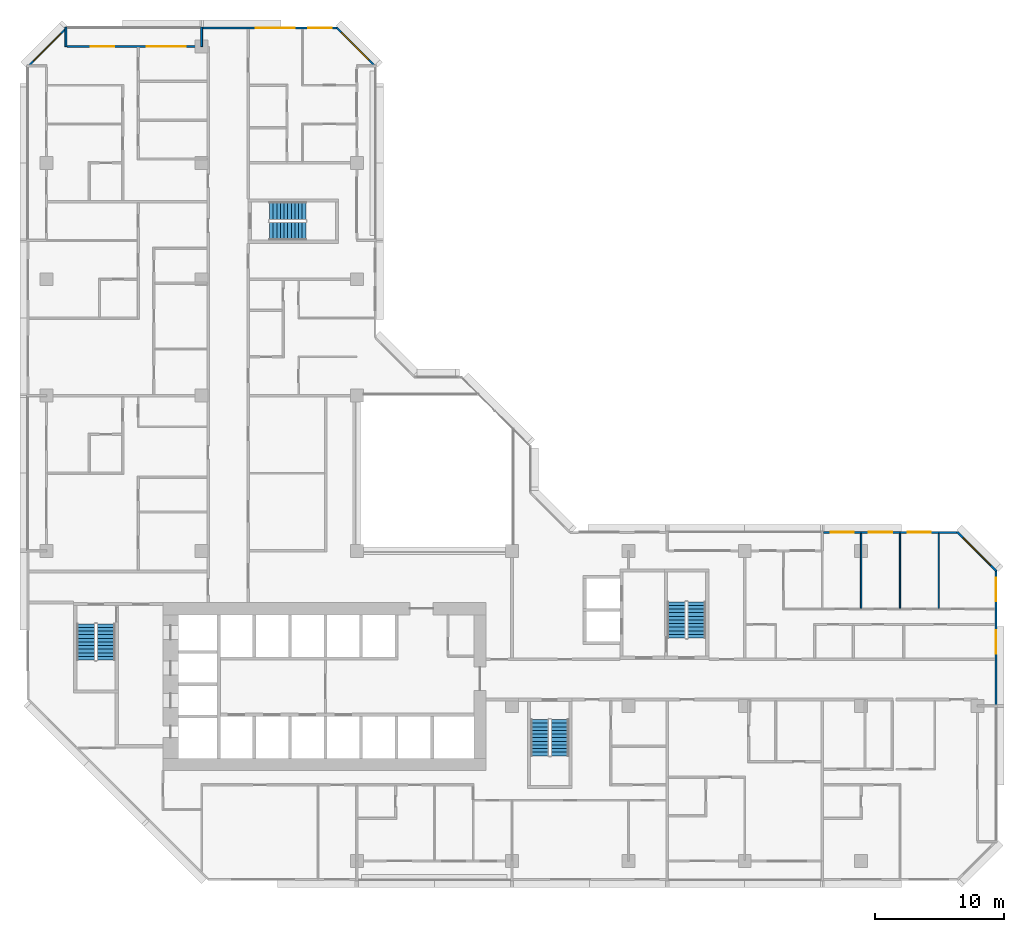
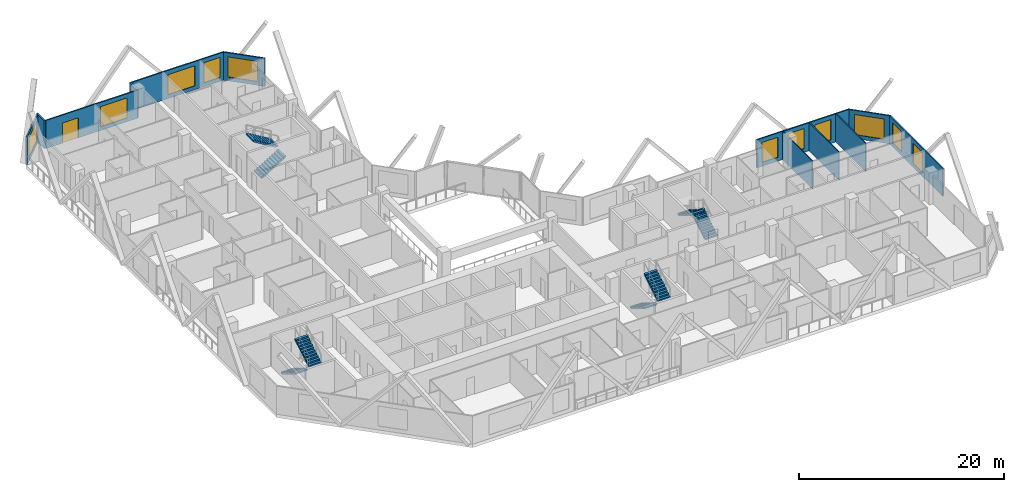
# One storey, part 12 of 14: 12 walls, 11 windows, 8 stair flights, 1 door, 12 openings, 4 elements without a shape of their own.
"""IFC4 building model written with IfcOpenShell, lengths in metres."""

from ifc_helpers import new_model, si_unit, direction, frame, frame_2d, origin, place, context, subcontext, project, spatial, polyline, rectangle, outline, extrude, material, layer, layer_set, type_object, element, fill, aggregate, save


model = new_model("IFC4")

# Units and contexts
model_context = context("Model", 3, precision=1e-05, world=origin(), true_north=direction((0.0, 1.0)))
body_context = subcontext(model_context, "Body", "Model", "MODEL_VIEW")
ifc_project = project(units=[si_unit("LENGTHUNIT", "METRE"), si_unit("AREAUNIT", "SQUARE_METRE"), si_unit("VOLUMEUNIT", "CUBIC_METRE"), si_unit("PLANEANGLEUNIT", "RADIAN"), si_unit("MASSUNIT", "GRAM", prefix="KILO")], contexts=[model_context])

# Site, building, storey
site_placement = place(None, origin())
site = spatial("IfcSite", under=ifc_project, at=site_placement, CompositionType="ELEMENT")
building_placement = place(site_placement, origin())
building = spatial("IfcBuilding", under=site, at=building_placement, Name="Chenar Terraces", CompositionType="ELEMENT")
storey_placement = place(building_placement, frame((0.0, 0.0, 91.89990234375)))
storey = spatial("IfcBuildingStorey", under=building, at=storey_placement, Name="L20", CompositionType="ELEMENT", Elevation=91.89990234375)

# Wall, openings, windows
ifc_material_1 = material(Name="Aluminium framed glazing", Category="aluminium")
ifc_layer_1 = layer(ifc_material_1, 0.14990234375)
ifc_layer_set_1 = layer_set([ifc_layer_1], Name="Aluminium framed glazing")
wall_type_1 = type_object("IfcWallType", Name="Glazed flush facade wall 150", PredefinedType="SOLIDWALL", material=ifc_layer_set_1)
wall_1_placement = place(storey_placement, frame((70.5, 25.425048828125, 0.0), z_axis=(0.0, 0.0, 1.0), x_axis=(-1.0, 0.0, 0.0)))
wall_1 = element("IfcWall", 1, at=wall_1_placement, inside=storey, type_object=wall_type_1, Name="Glazed flush facade wall", PredefinedType="SOLIDWALL", context=body_context, shape_type="SweptSolid", body=[
    extrude(rectangle(XDim=10.425048828125, YDim=0.14990234375, at=frame_2d((5.21240234375, 0.0))), origin(), (0.0, 0.0, 1.0), 3.35009765625),
])
opening_1_placement = place(wall_1_placement, frame((2.10009765625, 0.0, 0.449951171875)))
opening_1 = element("IfcOpeningElement", 2, at=opening_1_placement, cuts=wall_1, Name="Opening W180x240", PredefinedType="OPENING", context=body_context, shape_type="SweptSolid", body=[
    extrude(rectangle(XDim=1.800048828125, YDim=2.39990234375, at=frame_2d((0.89990234375, 1.199951171875))), frame((0.0, 0.0849609375, 0.0), z_axis=(0.0, -1.0, 0.0), x_axis=(1.0, 0.0, 0.0)), (0.0, 0.0, 1.0), 0.169921875),
])
opening_2_placement = place(wall_1_placement, frame((5.10009765625, 0.0, 0.449951171875)))
opening_2 = element("IfcOpeningElement", 3, at=opening_2_placement, cuts=wall_1, Name="Opening W180x240", PredefinedType="OPENING", context=body_context, shape_type="SweptSolid", body=[
    extrude(rectangle(XDim=1.800048828125, YDim=2.39990234375, at=frame_2d((0.89990234375, 1.199951171875))), frame((0.0, 0.0849609375, 0.0), z_axis=(0.0, -1.0, 0.0), x_axis=(1.0, 0.0, 0.0)), (0.0, 0.0, 1.0), 0.169921875),
])
opening_3_placement = place(wall_1_placement, frame((8.0625, 0.0, 0.449951171875)))
opening_3 = element("IfcOpeningElement", 4, at=opening_3_placement, cuts=wall_1, Name="Opening W180x240", PredefinedType="OPENING", context=body_context, shape_type="SweptSolid", body=[
    extrude(rectangle(XDim=1.800048828125, YDim=2.39990234375, at=frame_2d((0.89990234375, 1.199951171875))), frame((0.0, 0.0849609375, 0.0), z_axis=(0.0, -1.0, 0.0), x_axis=(1.0, 0.0, 0.0)), (0.0, 0.0, 1.0), 0.169921875),
])
ifc_material_2 = material(Name="Low emissivity double glazing, aluminium frame", Category="aluminium")
window_type_1 = type_object("IfcWindowType", Name="Fixed light 1800 x 2400", PartitioningType="SINGLE_PANEL", PredefinedType="WINDOW", material=ifc_material_2)
window_1_placement = place(opening_1_placement, origin())
window_1 = element("IfcWindow", 5, at=window_1_placement, inside=storey, type_object=window_type_1, Name="Window", OverallHeight=2.39990234375, OverallWidth=1.800048828125, PartitioningType="SINGLE_PANEL", PredefinedType="WINDOW", context=body_context, shape_type="SweptSolid", body=[
    extrude(rectangle(XDim=1.800048828125, YDim=2.39990234375, at=frame_2d((0.89990234375, 1.199951171875))), frame((0.0, 0.030029296875, 0.0), z_axis=(0.0, -1.0, 0.0), x_axis=(1.0, 0.0, 0.0)), (0.0, 0.0, 1.0), 0.06005859375),
])
fill(opening_1, window_1)
window_2_placement = place(opening_2_placement, origin())
window_2 = element("IfcWindow", 6, at=window_2_placement, inside=storey, type_object=window_type_1, Name="Window", OverallHeight=2.39990234375, OverallWidth=1.800048828125, PartitioningType="SINGLE_PANEL", PredefinedType="WINDOW", context=body_context, shape_type="SweptSolid", body=[
    extrude(rectangle(XDim=1.800048828125, YDim=2.39990234375, at=frame_2d((0.89990234375, 1.199951171875))), frame((0.0, 0.030029296875, 0.0), z_axis=(0.0, -1.0, 0.0), x_axis=(1.0, 0.0, 0.0)), (0.0, 0.0, 1.0), 0.06005859375),
])
fill(opening_2, window_2)
window_3_placement = place(opening_3_placement, origin())
window_3 = element("IfcWindow", 7, at=window_3_placement, inside=storey, type_object=window_type_1, Name="Window", OverallHeight=2.39990234375, OverallWidth=1.800048828125, PartitioningType="SINGLE_PANEL", PredefinedType="WINDOW", context=body_context, shape_type="SweptSolid", body=[
    extrude(rectangle(XDim=1.800048828125, YDim=2.39990234375, at=frame_2d((0.89990234375, 1.199951171875))), frame((0.0, 0.030029296875, 0.0), z_axis=(0.0, -1.0, 0.0), x_axis=(1.0, 0.0, 0.0)), (0.0, 0.0, 1.0), 0.06005859375),
])
fill(opening_3, window_3)

wall_2_placement = place(storey_placement, frame((22.5, 64.425048828125, 0.0), z_axis=(0.0, 0.0, 1.0), x_axis=(-1.0, 0.0, 0.0)))
wall_2 = element("IfcWall", 8, at=wall_2_placement, inside=storey, type_object=wall_type_1, Name="Glazed flush facade wall", PredefinedType="SOLIDWALL", context=body_context, shape_type="SweptSolid", body=[
    extrude(rectangle(XDim=10.425048828125, YDim=0.14990234375, at=frame_2d((5.21240234375, 0.0))), origin(), (0.0, 0.0, 1.0), 3.35009765625),
])
opening_4_placement = place(wall_2_placement, frame((0.449951171875, 0.0, 0.449951171875)))
opening_4 = element("IfcOpeningElement", 9, at=opening_4_placement, cuts=wall_2, Name="Opening W180x240", PredefinedType="OPENING", context=body_context, shape_type="SweptSolid", body=[
    extrude(rectangle(XDim=1.800048828125, YDim=2.39990234375, at=frame_2d((0.89990234375, 1.199951171875))), frame((0.0, 0.0849609375, 0.0), z_axis=(0.0, -1.0, 0.0), x_axis=(1.0, 0.0, 0.0)), (0.0, 0.0, 1.0), 0.169921875),
])
opening_5_placement = place(wall_2_placement, frame((3.300048828125, 0.0, 0.449951171875)))
opening_5 = element("IfcOpeningElement", 10, at=opening_5_placement, cuts=wall_2, Name="Opening W300x240", PredefinedType="OPENING", context=body_context, shape_type="SweptSolid", body=[
    extrude(rectangle(XDim=3.0, YDim=2.39990234375, at=frame_2d((1.5, 1.199951171875))), frame((0.0, 0.0849609375, 0.0), z_axis=(0.0, -1.0, 0.0), x_axis=(1.0, 0.0, 0.0)), (0.0, 0.0, 1.0), 0.169921875),
])
window_4_placement = place(opening_4_placement, origin())
window_4 = element("IfcWindow", 11, at=window_4_placement, inside=storey, type_object=window_type_1, Name="Window", OverallHeight=2.39990234375, OverallWidth=1.800048828125, PartitioningType="SINGLE_PANEL", PredefinedType="WINDOW", context=body_context, shape_type="SweptSolid", body=[
    extrude(rectangle(XDim=1.800048828125, YDim=2.39990234375, at=frame_2d((0.89990234375, 1.199951171875))), frame((0.0, 0.030029296875, 0.0), z_axis=(0.0, -1.0, 0.0), x_axis=(1.0, 0.0, 0.0)), (0.0, 0.0, 1.0), 0.06005859375),
])
fill(opening_4, window_4)
ifc_material_3 = material(Name="Low emissivity double glazing, aluminium frame", Category="aluminium")
window_type_2 = type_object("IfcWindowType", Name="Fixed light 3000 x 2400", PartitioningType="SINGLE_PANEL", PredefinedType="WINDOW", material=ifc_material_3)
window_5_placement = place(opening_5_placement, origin())
window_5 = element("IfcWindow", 12, at=window_5_placement, inside=storey, type_object=window_type_2, Name="Window", OverallHeight=2.39990234375, OverallWidth=3.0, PartitioningType="SINGLE_PANEL", PredefinedType="WINDOW", context=body_context, shape_type="SweptSolid", body=[
    extrude(rectangle(XDim=3.0, YDim=2.39990234375, at=frame_2d((1.5, 1.199951171875))), frame((0.0, 0.030029296875, 0.0), z_axis=(0.0, -1.0, 0.0), x_axis=(1.0, 0.0, 0.0)), (0.0, 0.0, 1.0), 0.06005859375),
])
fill(opening_5, window_5)

wall_3_placement = place(storey_placement, frame((73.425048828125, 12.074951171875, 0.0), z_axis=(0.0, 0.0, 1.0), x_axis=(0.0, 1.0, 0.0)))
wall_3 = element("IfcWall", 13, at=wall_3_placement, inside=storey, type_object=wall_type_1, Name="Glazed flush facade wall", PredefinedType="SOLIDWALL", context=body_context, shape_type="SweptSolid", body=[
    extrude(rectangle(XDim=10.425048828125, YDim=0.14990234375, at=frame_2d((5.21240234375, 0.0))), origin(), (0.0, 0.0, 1.0), 3.35009765625),
])
opening_6_placement = place(wall_3_placement, frame((3.97509765625, 0.0, 0.449951171875)))
opening_6 = element("IfcOpeningElement", 14, at=opening_6_placement, cuts=wall_3, Name="Opening W180x240", PredefinedType="OPENING", context=body_context, shape_type="SweptSolid", body=[
    extrude(rectangle(XDim=1.800048828125, YDim=2.39990234375, at=frame_2d((0.89990234375, 1.199951171875))), frame((0.0, 0.0849609375, 0.0), z_axis=(0.0, -1.0, 0.0), x_axis=(1.0, 0.0, 0.0)), (0.0, 0.0, 1.0), 0.169921875),
])
opening_7_placement = place(wall_3_placement, frame((8.02490234375, 0.0, 0.449951171875)))
opening_7 = element("IfcOpeningElement", 15, at=opening_7_placement, cuts=wall_3, Name="Opening W180x240", PredefinedType="OPENING", context=body_context, shape_type="SweptSolid", body=[
    extrude(rectangle(XDim=1.800048828125, YDim=2.39990234375, at=frame_2d((0.89990234375, 1.199951171875))), frame((0.0, 0.0849609375, 0.0), z_axis=(0.0, -1.0, 0.0), x_axis=(1.0, 0.0, 0.0)), (0.0, 0.0, 1.0), 0.169921875),
])
window_6_placement = place(opening_6_placement, origin())
window_6 = element("IfcWindow", 16, at=window_6_placement, inside=storey, type_object=window_type_1, Name="Window", OverallHeight=2.39990234375, OverallWidth=1.800048828125, PartitioningType="SINGLE_PANEL", PredefinedType="WINDOW", context=body_context, shape_type="SweptSolid", body=[
    extrude(rectangle(XDim=1.800048828125, YDim=2.39990234375, at=frame_2d((0.89990234375, 1.199951171875))), frame((0.0, 0.030029296875, 0.0), z_axis=(0.0, -1.0, 0.0), x_axis=(1.0, 0.0, 0.0)), (0.0, 0.0, 1.0), 0.06005859375),
])
fill(opening_6, window_6)
window_7_placement = place(opening_7_placement, origin())
window_7 = element("IfcWindow", 17, at=window_7_placement, inside=storey, type_object=window_type_1, Name="Window", OverallHeight=2.39990234375, OverallWidth=1.800048828125, PartitioningType="SINGLE_PANEL", PredefinedType="WINDOW", context=body_context, shape_type="SweptSolid", body=[
    extrude(rectangle(XDim=1.800048828125, YDim=2.39990234375, at=frame_2d((0.89990234375, 1.199951171875))), frame((0.0, 0.030029296875, 0.0), z_axis=(0.0, -1.0, 0.0), x_axis=(1.0, 0.0, 0.0)), (0.0, 0.0, 1.0), 0.06005859375),
])
fill(opening_7, window_7)

# Wall, openings, window, door
ifc_material_4 = material(Name="Aluminium framed glazing", Category="aluminium")
ifc_layer_2 = layer(ifc_material_4, 0.14990234375)
ifc_layer_set_2 = layer_set([ifc_layer_2], Name="Aluminium framed glazing")
wall_type_2 = type_object("IfcWallType", Name="Glazed loggia back wall 150", PredefinedType="SOLIDWALL", material=ifc_layer_set_2)
wall_4_placement = place(storey_placement, frame((11.925048828125, 63.0, 0.0), z_axis=(0.0, 0.0, 1.0), x_axis=(-1.0, 0.0, 0.0)))
wall_4 = element("IfcWall", 18, at=wall_4_placement, inside=storey, type_object=wall_type_2, Name="Glazed loggia back wall", PredefinedType="SOLIDWALL", context=body_context, shape_type="SweptSolid", body=[
    extrude(rectangle(XDim=10.35009765625, YDim=0.14990234375, at=frame_2d((5.175048828125, 0.0))), origin(), (0.0, 0.0, 1.0), 3.35009765625),
])
opening_8_placement = place(wall_4_placement, frame((1.175048828125, 0.0, 0.449951171875)))
opening_8 = element("IfcOpeningElement", 19, at=opening_8_placement, cuts=wall_4, Name="Opening W300x240", PredefinedType="OPENING", context=body_context, shape_type="SweptSolid", body=[
    extrude(rectangle(XDim=3.0, YDim=2.39990234375, at=frame_2d((1.5, 1.199951171875))), frame((0.0, 0.0849609375, 0.0), z_axis=(0.0, -1.0, 0.0), x_axis=(1.0, 0.0, 0.0)), (0.0, 0.0, 1.0), 0.169921875),
])
opening_9_placement = place(wall_4_placement, frame((6.6875, 0.0, 0.0)))
opening_9 = element("IfcOpeningElement", 20, at=opening_9_placement, cuts=wall_4, Name="Opening DL20-G3", PredefinedType="OPENING", context=body_context, shape_type="SweptSolid", body=[
    extrude(rectangle(XDim=1.800048828125, YDim=2.39990234375, at=frame_2d((0.89990234375, 1.199951171875))), frame((0.0, 0.0849609375, 0.0), z_axis=(0.0, -1.0, 0.0), x_axis=(1.0, 0.0, 0.0)), (0.0, 0.0, 1.0), 0.169921875),
])
window_8_placement = place(opening_8_placement, origin())
window_8 = element("IfcWindow", 21, at=window_8_placement, inside=storey, type_object=window_type_2, Name="Window", OverallHeight=2.39990234375, OverallWidth=3.0, PartitioningType="SINGLE_PANEL", PredefinedType="WINDOW", context=body_context, shape_type="SweptSolid", body=[
    extrude(rectangle(XDim=3.0, YDim=2.39990234375, at=frame_2d((1.5, 1.199951171875))), frame((0.0, 0.030029296875, 0.0), z_axis=(0.0, -1.0, 0.0), x_axis=(1.0, 0.0, 0.0)), (0.0, 0.0, 1.0), 0.06005859375),
])
fill(opening_8, window_8)
ifc_material_5 = material(Name="Low emissivity double glazing, aluminium frame", Category="aluminium")
door_type = type_object("IfcDoorType", Name="Loggia glazed double door 1800 x 2400", OperationType="DOUBLE_DOOR_SINGLE_SWING", PredefinedType="DOOR", material=ifc_material_5)
door_placement = place(opening_9_placement, frame((1.800048828125, 0.0, 0.0), z_axis=(0.0, 0.0, 1.0), x_axis=(-1.0, 0.0, 0.0)))
door = element("IfcDoor", 22, at=door_placement, inside=storey, type_object=door_type, Name="Loggia glazed door", OperationType="DOUBLE_DOOR_SINGLE_SWING", OverallHeight=2.39990234375, OverallWidth=1.800048828125, PredefinedType="DOOR", context=body_context, shape_type="SweptSolid", body=[
    extrude(rectangle(XDim=1.800048828125, YDim=2.39990234375, at=frame_2d((0.89990234375, 1.199951171875))), frame((0.0, 0.02490234375, 0.0), z_axis=(0.0, -1.0, 0.0), x_axis=(1.0, 0.0, 0.0)), (0.0, 0.0, 1.0), 0.050048828125),
])
fill(opening_9, door)

# Walls
ifc_material_6 = material(Name="Gypsum board on steel studs", Category="steel")
ifc_layer_3 = layer(ifc_material_6, 0.10009765625)
ifc_layer_set_3 = layer_set([ifc_layer_3], Name="Gypsum board on steel studs")
wall_type_3 = type_object("IfcWallType", Name="Gypsum partition 100", PredefinedType="PARTITIONING", material=ifc_layer_set_3)
for number, where, z_axis, x_axis, name in (
    (23, (63.0, 19.550048828125, 0.0), (0.0, 0.0, 1.0), (0.0, 1.0, 0.0), "Partition L20-100"),
    (24, (66.0, 19.550048828125, 0.0), (0.0, 0.0, 1.0), (0.0, 1.0, 0.0), "Partition L20-106"),
):
    element("IfcWall", number, at=place(storey_placement, frame(where, z_axis=z_axis, x_axis=x_axis)), inside=storey, type_object=wall_type_3, Name=name, PredefinedType="PARTITIONING", context=body_context, shape_type="SweptSolid", body=[
        extrude(rectangle(XDim=5.801025390625, YDim=0.10009765625, at=frame_2d((2.900390625, 0.0))), origin(), (0.0, 0.0, 1.0), 3.35009765625),
    ])
wall_5_placement = place(storey_placement, frame((69.0, 19.550048828125, 0.0), z_axis=(0.0, 0.0, 1.0), x_axis=(0.0, 1.0, 0.0)))
element("IfcWall", 25, at=wall_5_placement, inside=storey, type_object=wall_type_3, Name="Partition L20-109", PredefinedType="PARTITIONING", context=body_context, shape_type="SweptSolid", body=[
    extrude(rectangle(XDim=5.800048828125, YDim=0.10009765625, at=frame_2d((2.89990234375, 0.0))), origin(), (0.0, 0.0, 1.0), 3.35009765625),
])
ifc_material_7 = material(Name="Terracotta cladding on insulated backing", Category="masonry")
ifc_layer_4 = layer(ifc_material_7, 0.14990234375)
ifc_layer_set_4 = layer_set([ifc_layer_4], Name="Terracotta cladding on insulated backing")
wall_type_4 = type_object("IfcWallType", Name="Loggia return wall 150", PredefinedType="SOLIDWALL", material=ifc_layer_set_4)
for number, where, z_axis, x_axis, name in (
    (26, (12.0, 64.5, 0.0), (0.0, 0.0, 1.0), (0.0, -1.0, 0.0), "Loggia return wall"),
    (27, (1.5, 64.5, 0.0), (0.0, 0.0, 1.0), (0.0, -1.0, 0.0), "Loggia return wall"),
):
    element("IfcWall", number, at=place(storey_placement, frame(where, z_axis=z_axis, x_axis=x_axis)), inside=storey, type_object=wall_type_4, Name=name, PredefinedType="SOLIDWALL", context=body_context, shape_type="SweptSolid", body=[
        extrude(rectangle(XDim=1.5, YDim=0.14990234375, at=frame_2d((0.75, 0.0))), origin(), (0.0, 0.0, 1.0), 3.35009765625),
    ])

# Wall, opening, window
ifc_material_8 = material(Name="Terracotta cladding on insulated backing", Category="masonry")
ifc_layer_5 = layer(ifc_material_8, 0.14990234375)
ifc_layer_set_5 = layer_set([ifc_layer_5], Name="Terracotta cladding on insulated backing")
wall_type_5 = type_object("IfcWallType", Name="Terracotta rainscreen wall 150", PredefinedType="SOLIDWALL", material=ifc_layer_set_5)
wall_6_placement = place(storey_placement, frame((25.447021484375, 61.447021484375, 0.0), z_axis=(0.0, 0.0, 1.0), x_axis=(-0.707106781187, 0.707106781187, 0.0)))
wall_6 = element("IfcWall", 28, at=wall_6_placement, inside=storey, type_object=wall_type_5, Name="Terracotta rainscreen wall", PredefinedType="SOLIDWALL", context=body_context, shape_type="SweptSolid", body=[
    extrude(rectangle(XDim=4.24267578125, YDim=0.14990234375, at=frame_2d((2.121337890625, 0.0))), origin(), (0.0, 0.0, 1.0), 3.35009765625),
])
opening_10_placement = place(wall_6_placement, frame((0.744384765625, 0.0, 0.449951171875)))
opening_10 = element("IfcOpeningElement", 29, at=opening_10_placement, cuts=wall_6, Name="Opening W300x240", PredefinedType="OPENING", context=body_context, shape_type="SweptSolid", body=[
    extrude(rectangle(XDim=3.0, YDim=2.39990234375, at=frame_2d((1.5, 1.199951171875))), frame((0.0, 0.0849609375, 0.0), z_axis=(0.0, -1.0, 0.0), x_axis=(1.0, 0.0, 0.0)), (0.0, 0.0, 1.0), 0.169921875),
])
window_9_placement = place(opening_10_placement, origin())
window_9 = element("IfcWindow", 30, at=window_9_placement, inside=storey, type_object=window_type_2, Name="Window", OverallHeight=2.39990234375, OverallWidth=3.0, PartitioningType="SINGLE_PANEL", PredefinedType="WINDOW", context=body_context, shape_type="SweptSolid", body=[
    extrude(rectangle(XDim=3.0, YDim=2.39990234375, at=frame_2d((1.5, 1.199951171875))), frame((0.0, 0.030029296875, 0.0), z_axis=(0.0, -1.0, 0.0), x_axis=(1.0, 0.0, 0.0)), (0.0, 0.0, 1.0), 0.06005859375),
])
fill(opening_10, window_9)

wall_7_placement = place(storey_placement, frame((1.552978515625, 64.447021484375, 0.0), z_axis=(0.0, 0.0, 1.0), x_axis=(-0.707106781187, -0.707106781187, 0.0)))
wall_7 = element("IfcWall", 31, at=wall_7_placement, inside=storey, type_object=wall_type_5, Name="Terracotta rainscreen wall", PredefinedType="SOLIDWALL", context=body_context, shape_type="SweptSolid", body=[
    extrude(rectangle(XDim=4.24267578125, YDim=0.14990234375, at=frame_2d((2.121337890625, 0.0))), origin(), (0.0, 0.0, 1.0), 3.35009765625),
])
opening_11_placement = place(wall_7_placement, frame((0.621337890625, 0.0, 0.449951171875)))
opening_11 = element("IfcOpeningElement", 32, at=opening_11_placement, cuts=wall_7, Name="Opening W300x240", PredefinedType="OPENING", context=body_context, shape_type="SweptSolid", body=[
    extrude(rectangle(XDim=3.0, YDim=2.39990234375, at=frame_2d((1.5, 1.199951171875))), frame((0.0, 0.0849609375, 0.0), z_axis=(0.0, -1.0, 0.0), x_axis=(1.0, 0.0, 0.0)), (0.0, 0.0, 1.0), 0.169921875),
])
window_10_placement = place(opening_11_placement, origin())
window_10 = element("IfcWindow", 33, at=window_10_placement, inside=storey, type_object=window_type_2, Name="Window", OverallHeight=2.39990234375, OverallWidth=3.0, PartitioningType="SINGLE_PANEL", PredefinedType="WINDOW", context=body_context, shape_type="SweptSolid", body=[
    extrude(rectangle(XDim=3.0, YDim=2.39990234375, at=frame_2d((1.5, 1.199951171875))), frame((0.0, 0.030029296875, 0.0), z_axis=(0.0, -1.0, 0.0), x_axis=(1.0, 0.0, 0.0)), (0.0, 0.0, 1.0), 0.06005859375),
])
fill(opening_11, window_10)

wall_8_placement = place(storey_placement, frame((73.447021484375, 22.447021484375, 0.0), z_axis=(0.0, 0.0, 1.0), x_axis=(-0.707106781187, 0.707106781187, 0.0)))
wall_8 = element("IfcWall", 34, at=wall_8_placement, inside=storey, type_object=wall_type_5, Name="Terracotta rainscreen wall", PredefinedType="SOLIDWALL", context=body_context, shape_type="SweptSolid", body=[
    extrude(rectangle(XDim=4.24267578125, YDim=0.14990234375, at=frame_2d((2.121337890625, 0.0))), origin(), (0.0, 0.0, 1.0), 3.35009765625),
])
opening_12_placement = place(wall_8_placement, frame((0.621337890625, 0.0, 0.449951171875)))
opening_12 = element("IfcOpeningElement", 35, at=opening_12_placement, cuts=wall_8, Name="Opening W300x240", PredefinedType="OPENING", context=body_context, shape_type="SweptSolid", body=[
    extrude(rectangle(XDim=3.0, YDim=2.39990234375, at=frame_2d((1.5, 1.199951171875))), frame((0.0, 0.0849609375, 0.0), z_axis=(0.0, -1.0, 0.0), x_axis=(1.0, 0.0, 0.0)), (0.0, 0.0, 1.0), 0.169921875),
])
window_11_placement = place(opening_12_placement, origin())
window_11 = element("IfcWindow", 36, at=window_11_placement, inside=storey, type_object=window_type_2, Name="Window", OverallHeight=2.39990234375, OverallWidth=3.0, PartitioningType="SINGLE_PANEL", PredefinedType="WINDOW", context=body_context, shape_type="SweptSolid", body=[
    extrude(rectangle(XDim=3.0, YDim=2.39990234375, at=frame_2d((1.5, 1.199951171875))), frame((0.0, 0.030029296875, 0.0), z_axis=(0.0, -1.0, 0.0), x_axis=(1.0, 0.0, 0.0)), (0.0, 0.0, 1.0), 0.06005859375),
])
fill(opening_12, window_11)

# Stair, stair flights
ifc_material_9 = material(Name="Reinforced concrete C40/50", Category="concrete")
stair_type = type_object("IfcStairType", Name="Core stair 1400 half-turn", PredefinedType="HALF_TURN_STAIR", material=ifc_material_9)
placement = place(storey_placement, origin())
stair_1 = element("IfcStair", 37, at=placement, inside=storey, type_object=stair_type, Name="L20 Stair 1", PredefinedType="HALF_TURN_STAIR")
ifc_material_10 = material(Name="Reinforced concrete C40/50", Category="concrete")
stair_flight_type = type_object("IfcStairFlightType", Name="Core stair flight 1400", PredefinedType="STRAIGHT", material=ifc_material_10)
stair_flight_1_placement = place(storey_placement, frame((3.050048828125, 18.35009765625, 0.0), z_axis=(0.0, 0.0, 1.0), x_axis=(0.0, -1.0, 0.0)))
stair_flight_1 = element("IfcStairFlight", 38, at=stair_flight_1_placement, type_object=stair_flight_type, Name="ST1 flight 1", NumberOfRisers=11, NumberOfTreads=10, PredefinedType="STRAIGHT", RiserHeight=0.170454545, TreadLength=0.28, context=body_context, shape_type="SweptSolid", body=[
    extrude(outline(polyline([(-0.0029296875, 0.0), (-0.0029296875, 0.17041015625), (0.0, 0.17041015625), (0.280029296875, 0.17041015625), (0.280029296875, 0.3408203125), (0.56005859375, 0.3408203125), (0.56005859375, 0.511474609375), (0.840087890625, 0.511474609375), (0.840087890625, 0.681884765625), (1.1201171875, 0.681884765625), (1.1201171875, 0.852294921875), (1.39990234375, 0.852294921875), (1.39990234375, 1.022705078125), (1.679931640625, 1.022705078125), (1.679931640625, 1.193115234375), (1.9599609375, 1.193115234375), (1.9599609375, 1.363525390625), (2.239990234375, 1.363525390625), (2.239990234375, 1.5341796875), (2.52001953125, 1.5341796875), (2.52001953125, 1.70458984375), (2.800048828125, 1.70458984375), (2.802978515625, 1.70458984375), (2.802978515625, 1.529052734375), (2.800048828125, 1.529052734375), (0.288330078125, 0.0), (-0.0029296875, 0.0)])), frame((0.0, 0.699951171875, 0.0), z_axis=(0.0, -1.0, 0.0), x_axis=(1.0, 0.0, 0.0)), (0.0, 0.0, 1.0), 1.39990234375),
])
stair_flight_2_placement = place(storey_placement, frame((4.60009765625, 15.550048828125, 1.875), z_axis=(0.0, 0.0, 1.0), x_axis=(0.0, 1.0, 0.0)))
stair_flight_2 = element("IfcStairFlight", 39, at=stair_flight_2_placement, type_object=stair_flight_type, Name="ST1 flight 2", NumberOfRisers=11, NumberOfTreads=10, PredefinedType="STRAIGHT", RiserHeight=0.170454545, TreadLength=0.28, context=body_context, shape_type="SweptSolid", body=[
    extrude(outline(polyline([(-0.0029296875, 0.0), (-0.0029296875, 0.17041015625), (0.0, 0.17041015625), (0.280029296875, 0.17041015625), (0.280029296875, 0.3408203125), (0.56005859375, 0.3408203125), (0.56005859375, 0.511474609375), (0.840087890625, 0.511474609375), (0.840087890625, 0.681884765625), (1.1201171875, 0.681884765625), (1.1201171875, 0.852294921875), (1.39990234375, 0.852294921875), (1.39990234375, 1.022705078125), (1.679931640625, 1.022705078125), (1.679931640625, 1.193115234375), (1.9599609375, 1.193115234375), (1.9599609375, 1.363525390625), (2.239990234375, 1.363525390625), (2.239990234375, 1.5341796875), (2.52001953125, 1.5341796875), (2.52001953125, 1.70458984375), (2.800048828125, 1.70458984375), (2.802978515625, 1.70458984375), (2.802978515625, 1.529052734375), (2.800048828125, 1.529052734375), (0.288330078125, 0.0), (-0.0029296875, 0.0)])), frame((0.0, 0.699951171875, 0.0), z_axis=(0.0, -1.0, 0.0), x_axis=(1.0, 0.0, 0.0)), (0.0, 0.0, 1.0), 1.39990234375),
])
aggregate(stair_1, [stair_flight_1, stair_flight_2])

stair_2 = element("IfcStair", 40, at=placement, inside=storey, type_object=stair_type, Name="L20 Stair 2", PredefinedType="HALF_TURN_STAIR")
stair_flight_3_placement = place(storey_placement, frame((38.14990234375, 10.949951171875, 0.0), z_axis=(0.0, 0.0, 1.0), x_axis=(0.0, -1.0, 0.0)))
stair_flight_3 = element("IfcStairFlight", 41, at=stair_flight_3_placement, type_object=stair_flight_type, Name="ST2 flight 1", NumberOfRisers=11, NumberOfTreads=10, PredefinedType="STRAIGHT", RiserHeight=0.170454545, TreadLength=0.28, context=body_context, shape_type="SweptSolid", body=[
    extrude(outline(polyline([(-0.0029296875, 0.0), (-0.0029296875, 0.17041015625), (0.0, 0.17041015625), (0.280029296875, 0.17041015625), (0.280029296875, 0.3408203125), (0.56005859375, 0.3408203125), (0.56005859375, 0.511474609375), (0.840087890625, 0.511474609375), (0.840087890625, 0.681884765625), (1.1201171875, 0.681884765625), (1.1201171875, 0.852294921875), (1.39990234375, 0.852294921875), (1.39990234375, 1.022705078125), (1.679931640625, 1.022705078125), (1.679931640625, 1.193115234375), (1.9599609375, 1.193115234375), (1.9599609375, 1.363525390625), (2.239990234375, 1.363525390625), (2.239990234375, 1.5341796875), (2.52001953125, 1.5341796875), (2.52001953125, 1.70458984375), (2.800048828125, 1.70458984375), (2.802978515625, 1.70458984375), (2.802978515625, 1.529052734375), (2.800048828125, 1.529052734375), (0.288330078125, 0.0), (-0.0029296875, 0.0)])), frame((0.0, 0.699951171875, 0.0), z_axis=(0.0, -1.0, 0.0), x_axis=(1.0, 0.0, 0.0)), (0.0, 0.0, 1.0), 1.39990234375),
])
stair_flight_4_placement = place(storey_placement, frame((39.699951171875, 8.14990234375, 1.875), z_axis=(0.0, 0.0, 1.0), x_axis=(0.0, 1.0, 0.0)))
stair_flight_4 = element("IfcStairFlight", 42, at=stair_flight_4_placement, type_object=stair_flight_type, Name="ST2 flight 2", NumberOfRisers=11, NumberOfTreads=10, PredefinedType="STRAIGHT", RiserHeight=0.170454545, TreadLength=0.28, context=body_context, shape_type="SweptSolid", body=[
    extrude(outline(polyline([(-0.0029296875, 0.0), (-0.0029296875, 0.17041015625), (0.0, 0.17041015625), (0.280029296875, 0.17041015625), (0.280029296875, 0.3408203125), (0.56005859375, 0.3408203125), (0.56005859375, 0.511474609375), (0.840087890625, 0.511474609375), (0.840087890625, 0.681884765625), (1.1201171875, 0.681884765625), (1.1201171875, 0.852294921875), (1.39990234375, 0.852294921875), (1.39990234375, 1.022705078125), (1.679931640625, 1.022705078125), (1.679931640625, 1.193115234375), (1.9599609375, 1.193115234375), (1.9599609375, 1.363525390625), (2.239990234375, 1.363525390625), (2.239990234375, 1.5341796875), (2.52001953125, 1.5341796875), (2.52001953125, 1.70458984375), (2.800048828125, 1.70458984375), (2.802978515625, 1.70458984375), (2.802978515625, 1.529052734375), (2.800048828125, 1.529052734375), (0.288330078125, 0.0), (-0.0029296875, 0.0)])), frame((0.0, 0.699951171875, 0.0), z_axis=(0.0, -1.0, 0.0), x_axis=(1.0, 0.0, 0.0)), (0.0, 0.0, 1.0), 1.39990234375),
])
aggregate(stair_2, [stair_flight_3, stair_flight_4])

stair_3 = element("IfcStair", 43, at=placement, inside=storey, type_object=stair_type, Name="L20 Stair 3", PredefinedType="HALF_TURN_STAIR")
stair_flight_5_placement = place(storey_placement, frame((50.27490234375, 17.25, 0.0), z_axis=(0.0, 0.0, 1.0), x_axis=(0.0, 1.0, 0.0)))
stair_flight_5 = element("IfcStairFlight", 44, at=stair_flight_5_placement, type_object=stair_flight_type, Name="ST3 flight 1", NumberOfRisers=11, NumberOfTreads=10, PredefinedType="STRAIGHT", RiserHeight=0.170454545, TreadLength=0.28, context=body_context, shape_type="SweptSolid", body=[
    extrude(outline(polyline([(-0.0029296875, 0.0), (-0.0029296875, 0.17041015625), (0.0, 0.17041015625), (0.280029296875, 0.17041015625), (0.280029296875, 0.3408203125), (0.56005859375, 0.3408203125), (0.56005859375, 0.511474609375), (0.840087890625, 0.511474609375), (0.840087890625, 0.681884765625), (1.1201171875, 0.681884765625), (1.1201171875, 0.852294921875), (1.39990234375, 0.852294921875), (1.39990234375, 1.022705078125), (1.679931640625, 1.022705078125), (1.679931640625, 1.193115234375), (1.9599609375, 1.193115234375), (1.9599609375, 1.363525390625), (2.239990234375, 1.363525390625), (2.239990234375, 1.5341796875), (2.52001953125, 1.5341796875), (2.52001953125, 1.70458984375), (2.800048828125, 1.70458984375), (2.802978515625, 1.70458984375), (2.802978515625, 1.529052734375), (2.800048828125, 1.529052734375), (0.288330078125, 0.0), (-0.0029296875, 0.0)])), frame((0.0, 0.699951171875, 0.0), z_axis=(0.0, -1.0, 0.0), x_axis=(1.0, 0.0, 0.0)), (0.0, 0.0, 1.0), 1.39990234375),
])
stair_flight_6_placement = place(storey_placement, frame((48.72509765625, 20.050048828125, 1.875), z_axis=(0.0, 0.0, 1.0), x_axis=(0.0, -1.0, 0.0)))
stair_flight_6 = element("IfcStairFlight", 45, at=stair_flight_6_placement, type_object=stair_flight_type, Name="ST3 flight 2", NumberOfRisers=11, NumberOfTreads=10, PredefinedType="STRAIGHT", RiserHeight=0.170454545, TreadLength=0.28, context=body_context, shape_type="SweptSolid", body=[
    extrude(outline(polyline([(-0.0029296875, 0.0), (-0.0029296875, 0.17041015625), (0.0, 0.17041015625), (0.280029296875, 0.17041015625), (0.280029296875, 0.3408203125), (0.56005859375, 0.3408203125), (0.56005859375, 0.511474609375), (0.840087890625, 0.511474609375), (0.840087890625, 0.681884765625), (1.1201171875, 0.681884765625), (1.1201171875, 0.852294921875), (1.39990234375, 0.852294921875), (1.39990234375, 1.022705078125), (1.679931640625, 1.022705078125), (1.679931640625, 1.193115234375), (1.9599609375, 1.193115234375), (1.9599609375, 1.363525390625), (2.239990234375, 1.363525390625), (2.239990234375, 1.5341796875), (2.52001953125, 1.5341796875), (2.52001953125, 1.70458984375), (2.800048828125, 1.70458984375), (2.802978515625, 1.70458984375), (2.802978515625, 1.529052734375), (2.800048828125, 1.529052734375), (0.288330078125, 0.0), (-0.0029296875, 0.0)])), frame((0.0, 0.699951171875, 0.0), z_axis=(0.0, -1.0, 0.0), x_axis=(1.0, 0.0, 0.0)), (0.0, 0.0, 1.0), 1.39990234375),
])
aggregate(stair_3, [stair_flight_5, stair_flight_6])

stair_4 = element("IfcStair", 46, at=placement, inside=storey, type_object=stair_type, Name="L20 Stair 4", PredefinedType="HALF_TURN_STAIR")
stair_flight_7_placement = place(storey_placement, frame((17.25, 48.72509765625, 0.0), z_axis=(0.0, 0.0, 1.0), x_axis=(1.0, 0.0, 0.0)))
stair_flight_7 = element("IfcStairFlight", 47, at=stair_flight_7_placement, type_object=stair_flight_type, Name="ST4 flight 1", NumberOfRisers=11, NumberOfTreads=10, PredefinedType="STRAIGHT", RiserHeight=0.170454545, TreadLength=0.28, context=body_context, shape_type="SweptSolid", body=[
    extrude(outline(polyline([(-0.0029296875, 0.0), (-0.0029296875, 0.17041015625), (0.0, 0.17041015625), (0.280029296875, 0.17041015625), (0.280029296875, 0.3408203125), (0.56005859375, 0.3408203125), (0.56005859375, 0.511474609375), (0.840087890625, 0.511474609375), (0.840087890625, 0.681884765625), (1.1201171875, 0.681884765625), (1.1201171875, 0.852294921875), (1.39990234375, 0.852294921875), (1.39990234375, 1.022705078125), (1.679931640625, 1.022705078125), (1.679931640625, 1.193115234375), (1.9599609375, 1.193115234375), (1.9599609375, 1.363525390625), (2.239990234375, 1.363525390625), (2.239990234375, 1.5341796875), (2.52001953125, 1.5341796875), (2.52001953125, 1.70458984375), (2.800048828125, 1.70458984375), (2.802978515625, 1.70458984375), (2.802978515625, 1.529052734375), (2.800048828125, 1.529052734375), (0.288330078125, 0.0), (-0.0029296875, 0.0)])), frame((0.0, 0.699951171875, 0.0), z_axis=(0.0, -1.0, 0.0), x_axis=(1.0, 0.0, 0.0)), (0.0, 0.0, 1.0), 1.39990234375),
])
stair_flight_8_placement = place(storey_placement, frame((20.050048828125, 50.27490234375, 1.875), z_axis=(0.0, 0.0, 1.0), x_axis=(-1.0, 0.0, 0.0)))
stair_flight_8 = element("IfcStairFlight", 48, at=stair_flight_8_placement, type_object=stair_flight_type, Name="ST4 flight 2", NumberOfRisers=11, NumberOfTreads=10, PredefinedType="STRAIGHT", RiserHeight=0.170454545, TreadLength=0.28, context=body_context, shape_type="SweptSolid", body=[
    extrude(outline(polyline([(-0.0029296875, 0.0), (-0.0029296875, 0.17041015625), (0.0, 0.17041015625), (0.280029296875, 0.17041015625), (0.280029296875, 0.3408203125), (0.56005859375, 0.3408203125), (0.56005859375, 0.511474609375), (0.840087890625, 0.511474609375), (0.840087890625, 0.681884765625), (1.1201171875, 0.681884765625), (1.1201171875, 0.852294921875), (1.39990234375, 0.852294921875), (1.39990234375, 1.022705078125), (1.679931640625, 1.022705078125), (1.679931640625, 1.193115234375), (1.9599609375, 1.193115234375), (1.9599609375, 1.363525390625), (2.239990234375, 1.363525390625), (2.239990234375, 1.5341796875), (2.52001953125, 1.5341796875), (2.52001953125, 1.70458984375), (2.800048828125, 1.70458984375), (2.802978515625, 1.70458984375), (2.802978515625, 1.529052734375), (2.800048828125, 1.529052734375), (0.288330078125, 0.0), (-0.0029296875, 0.0)])), frame((0.0, 0.699951171875, 0.0), z_axis=(0.0, -1.0, 0.0), x_axis=(1.0, 0.0, 0.0)), (0.0, 0.0, 1.0), 1.39990234375),
])
aggregate(stair_4, [stair_flight_7, stair_flight_8])

save(model, "model.ifc")
